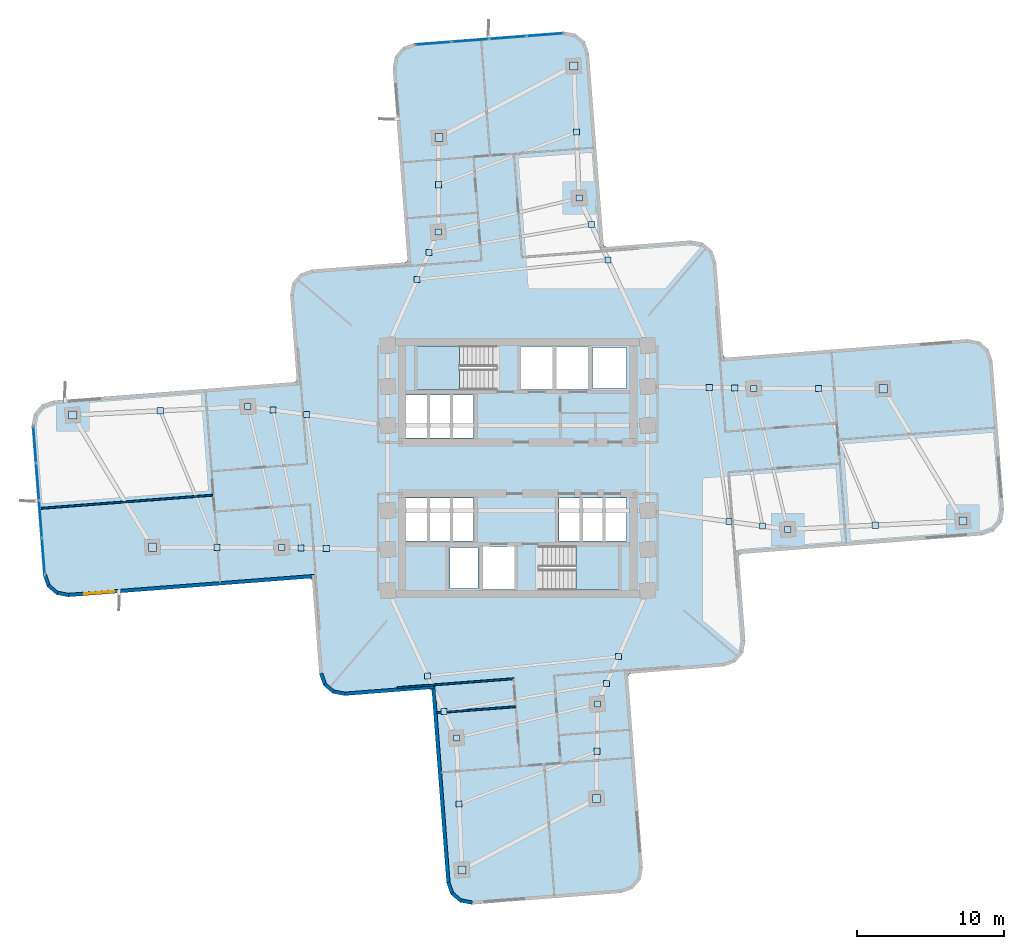
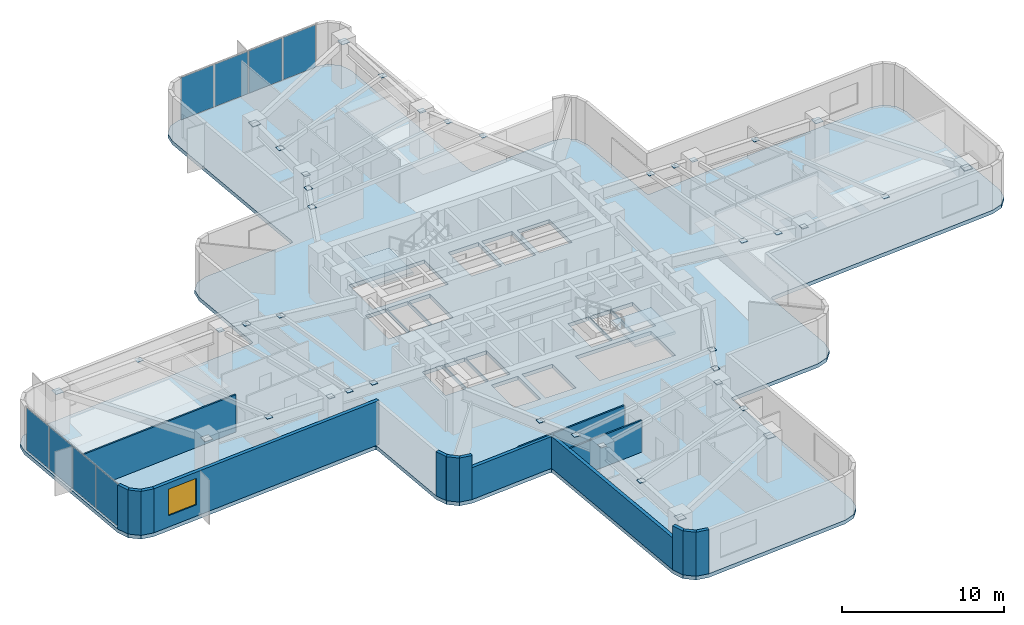
# One storey, part 7 of 15: 48 plates, 15 walls, 3 slabs, 1 window, 1 opening, 4 elements without a shape of their own.
"""IFC4 building model written with IfcOpenShell, lengths in metres."""

from ifc_helpers import new_model, si_unit, direction, frame, frame_2d, origin, origin_2d, place, context, subcontext, project, spatial, polyline, rectangle, outline, extrude, material, layer, layer_set, type_object, element, fill, aggregate, save


model = new_model("IFC4")

# Units and contexts
model_context = context("Model", 3, precision=1e-05, world=origin(), true_north=direction((0.0, 1.0)))
body_context = subcontext(model_context, "Body", "Model", "MODEL_VIEW")
ifc_project = project(units=[si_unit("LENGTHUNIT", "METRE"), si_unit("AREAUNIT", "SQUARE_METRE"), si_unit("VOLUMEUNIT", "CUBIC_METRE"), si_unit("PLANEANGLEUNIT", "RADIAN"), si_unit("MASSUNIT", "GRAM", prefix="KILO")], contexts=[model_context])

# Site, building, storey
site_placement = place(None, origin())
site = spatial("IfcSite", under=ifc_project, at=site_placement, CompositionType="ELEMENT")
building_placement = place(site_placement, origin())
building = spatial("IfcBuilding", under=site, at=building_placement, Name="Solmarez Civic Tower", CompositionType="ELEMENT")
storey_placement = place(building_placement, frame((0.0, 0.0, 60.47998046875)))
storey = spatial("IfcBuildingStorey", under=building, at=storey_placement, Name="L15", CompositionType="ELEMENT", Elevation=60.47998046875)

# Curtain wall, plates
ifc_material_1 = material(Name="Bronze Anodised Aluminium EN AW-6063 T6", Category="aluminium")
ifc_layer_1 = layer(ifc_material_1, 0.18505859375)
ifc_layer_set_1 = layer_set([ifc_layer_1], Name="Bronze Anodised Aluminium EN AW-6063 T6")
curtain_wall_type = type_object("IfcCurtainWallType", Name="CW-SYS-2", PredefinedType="NOTDEFINED", material=ifc_layer_set_1)
curtain_wall_1_placement = place(storey_placement, origin())
curtain_wall_1 = element("IfcCurtainWall", 1, at=curtain_wall_1_placement, inside=storey, type_object=curtain_wall_type, Name="L15 Stick-Built Curtain Wall 1", PredefinedType="NOTDEFINED")
ifc_material_2 = material(Name="Solar Control Low-E Laminated Vision Glass", Category="glass")
ifc_layer_2 = layer(ifc_material_2, 0.031982421875)
ifc_layer_set_2 = layer_set([ifc_layer_2], Name="Solar Control Low-E Laminated Vision Glass")
plate_type_1 = type_object("IfcPlateType", Name="CWP-GLAZ-32", PredefinedType="CURTAIN_PANEL", material=ifc_layer_set_2)
plate_1_placement = place(storey_placement, frame((-32.314453125, -6.010986328125, 0.06494140625), z_axis=(0.0, 0.0, 1.0), x_axis=(-0.076726434127, 0.997052182339, 0.0)))
plate_1 = element("IfcPlate", 2, at=plate_1_placement, type_object=plate_type_1, Name="CWS2 panel 1.1", PredefinedType="CURTAIN_PANEL", context=body_context, shape_type="SweptSolid", body=[
    extrude(rectangle(XDim=2.449462890625, YDim=0.031982421875, at=origin_2d()), origin(), (0.0, 0.0, 1.0), 3.18994140625),
])
plate_2_placement = place(storey_placement, frame((-32.509033203125, -3.4814453125, 0.06494140625), z_axis=(0.0, 0.0, 1.0), x_axis=(-0.076726434127, 0.997052182339, 0.0)))
plate_2 = element("IfcPlate", 3, at=plate_2_placement, type_object=plate_type_1, Name="CWS2 panel 2.1", PredefinedType="CURTAIN_PANEL", context=body_context, shape_type="SweptSolid", body=[
    extrude(rectangle(XDim=2.484619140625, YDim=0.031982421875, at=origin_2d()), origin(), (0.0, 0.0, 1.0), 3.18994140625),
])
plate_3_placement = place(storey_placement, frame((-32.705078125, -0.9345703125, 0.06494140625), z_axis=(0.0, 0.0, 1.0), x_axis=(-0.076726434127, 0.997052182339, 0.0)))
plate_3 = element("IfcPlate", 4, at=plate_3_placement, type_object=plate_type_1, Name="CWS2 panel 3.1", PredefinedType="CURTAIN_PANEL", context=body_context, shape_type="SweptSolid", body=[
    extrude(rectangle(XDim=2.484619140625, YDim=0.031982421875, at=origin_2d()), origin(), (0.0, 0.0, 1.0), 3.18994140625),
])
plate_4_placement = place(storey_placement, frame((-32.899658203125, 1.594970703125, 0.06494140625), z_axis=(0.0, 0.0, 1.0), x_axis=(-0.076726434127, 0.997052182339, 0.0)))
plate_4 = element("IfcPlate", 5, at=plate_4_placement, type_object=plate_type_1, Name="CWS2 panel 4.1", PredefinedType="CURTAIN_PANEL", context=body_context, shape_type="SweptSolid", body=[
    extrude(rectangle(XDim=2.449462890625, YDim=0.031982421875, at=origin_2d()), origin(), (0.0, 0.0, 1.0), 3.18994140625),
])
aggregate(curtain_wall_1, [plate_1, plate_2, plate_3, plate_4])

curtain_wall_2_placement = place(storey_placement, origin())
curtain_wall_2 = element("IfcCurtainWall", 6, at=curtain_wall_2_placement, inside=storey, type_object=curtain_wall_type, Name="L15 Stick-Built Curtain Wall 2", PredefinedType="NOTDEFINED")
plate_5_placement = place(storey_placement, frame((-5.75, 28.92431640625, 0.06494140625), z_axis=(0.0, 0.0, 1.0), x_axis=(0.997052182339, 0.076726434127, 0.0)))
plate_5 = element("IfcPlate", 7, at=plate_5_placement, type_object=plate_type_1, Name="CWS2 panel 1.1", PredefinedType="CURTAIN_PANEL", context=body_context, shape_type="SweptSolid", body=[
    extrude(rectangle(XDim=2.449462890625, YDim=0.031982421875, at=origin_2d()), origin(), (0.0, 0.0, 1.0), 3.18994140625),
])
plate_6_placement = place(storey_placement, frame((-3.220458984375, 29.118896484375, 0.06494140625), z_axis=(0.0, 0.0, 1.0), x_axis=(0.997052182339, 0.076726434127, 0.0)))
plate_6 = element("IfcPlate", 8, at=plate_6_placement, type_object=plate_type_1, Name="CWS2 panel 2.1", PredefinedType="CURTAIN_PANEL", context=body_context, shape_type="SweptSolid", body=[
    extrude(rectangle(XDim=2.484619140625, YDim=0.031982421875, at=origin_2d()), origin(), (0.0, 0.0, 1.0), 3.18994140625),
])
plate_7_placement = place(storey_placement, frame((-0.673583984375, 29.31494140625, 0.06494140625), z_axis=(0.0, 0.0, 1.0), x_axis=(0.997052182339, 0.076726434127, 0.0)))
plate_7 = element("IfcPlate", 9, at=plate_7_placement, type_object=plate_type_1, Name="CWS2 panel 3.1", PredefinedType="CURTAIN_PANEL", context=body_context, shape_type="SweptSolid", body=[
    extrude(rectangle(XDim=2.484619140625, YDim=0.031982421875, at=origin_2d()), origin(), (0.0, 0.0, 1.0), 3.18994140625),
])
plate_8_placement = place(storey_placement, frame((1.85595703125, 29.509765625, 0.06494140625), z_axis=(0.0, 0.0, 1.0), x_axis=(0.997052182339, 0.076726434127, 0.0)))
plate_8 = element("IfcPlate", 10, at=plate_8_placement, type_object=plate_type_1, Name="CWS2 panel 4.1", PredefinedType="CURTAIN_PANEL", context=body_context, shape_type="SweptSolid", body=[
    extrude(rectangle(XDim=2.449462890625, YDim=0.031982421875, at=origin_2d()), origin(), (0.0, 0.0, 1.0), 3.18994140625),
])
aggregate(curtain_wall_2, [plate_5, plate_6, plate_7, plate_8])

# Plates
ifc_material_3 = material(Name="Steel S355", Category="steel")
ifc_layer_3 = layer(ifc_material_3, 0.02392578125)
ifc_layer_set_3 = layer_set([ifc_layer_3], Name="Steel S355")
plate_type_2 = type_object("IfcPlateType", Name="PLT-CAP-380", PredefinedType="USERDEFINED", material=ifc_layer_set_3)
for number, where, z_axis, x_axis, name in (
    (11, (18.39111328125, -4.18408203125, 3.157958984375), (0.0, 0.0, 1.0), (1.0, 0.0, 0.0), "Steel Member End Cap Plate CAP-BM-L15-EA-T1-0"),
    (12, (16.075927734375, 5.4208984375, 3.157958984375), (0.0, 0.0, 1.0), (1.0, 0.0, 0.0), "Steel Member End Cap Plate CAP-BM-L15-EA-T1-1"),
    (13, (24.35498046875, -3.89697265625, 3.157958984375), (0.0, 0.0, 1.0), (1.0, 0.0, 0.0), "Steel Member End Cap Plate CAP-JS-L15-EA-M2-0"),
    (14, (20.48193359375, 5.406982421875, 3.157958984375), (0.0, 0.0, 1.0), (1.0, 0.0, 0.0), "Steel Member End Cap Plate CAP-JS-L15-EA-M2-1"),
    (15, (14.384033203125, -3.64501953125, 3.157958984375), (0.0, 0.0, 1.0), (1.0, 0.0, 0.0), "Steel Member End Cap Plate CAP-JS-L15-EA-M11-0"),
    (16, (13.041015625, 5.47509765625, 3.157958984375), (0.0, 0.0, 1.0), (1.0, 0.0, 0.0), "Steel Member End Cap Plate CAP-JS-L15-EA-M11-1"),
    (17, (16.674072265625, -3.952880859375, 3.157958984375), (0.0, 0.0, 1.0), (1.0, 0.0, 0.0), "Steel Member End Cap Plate CAP-JS-L15-EA-M12-0"),
    (18, (14.77490234375, 5.444091796875, 3.157958984375), (0.0, 0.0, 1.0), (1.0, 0.0, 0.0), "Steel Member End Cap Plate CAP-JS-L15-EA-M12-1"),
    (19, (4.18408203125, 18.39111328125, 3.157958984375), (0.0, 0.0, 1.0), (1.0, 0.0, 0.0), "Steel Member End Cap Plate CAP-BM-L15-NA-T1-0"),
    (20, (-5.4208984375, 16.075927734375, 3.157958984375), (0.0, 0.0, 1.0), (1.0, 0.0, 0.0), "Steel Member End Cap Plate CAP-BM-L15-NA-T1-1"),
    (21, (3.9951171875, 22.886962890625, 3.157958984375), (0.0, 0.0, 1.0), (1.0, 0.0, 0.0), "Steel Member End Cap Plate CAP-JS-L15-NA-M2-0"),
    (22, (-5.39599609375, 19.291015625, 3.157958984375), (0.0, 0.0, 1.0), (1.0, 0.0, 0.0), "Steel Member End Cap Plate CAP-JS-L15-NA-M2-1"),
    (23, (6.14404296875, 14.174072265625, 3.157958984375), (0.0, 0.0, 1.0), (1.0, 0.0, 0.0), "Steel Member End Cap Plate CAP-JS-L15-NA-M11-0"),
    (24, (-6.861083984375, 12.8310546875, 3.157958984375), (0.0, 0.0, 1.0), (1.0, 0.0, 0.0), "Steel Member End Cap Plate CAP-JS-L15-NA-M11-1"),
    (25, (5.02392578125, 16.583984375, 3.157958984375), (0.0, 0.0, 1.0), (1.0, 0.0, 0.0), "Steel Member End Cap Plate CAP-JS-L15-NA-M12-0"),
    (26, (-6.0380859375, 14.68505859375, 3.157958984375), (0.0, 0.0, 1.0), (1.0, 0.0, 0.0), "Steel Member End Cap Plate CAP-JS-L15-NA-M12-1"),
    (27, (-18.39111328125, 4.18408203125, 3.157958984375), (0.0, 0.0, 1.0), (1.0, 0.0, 0.0), "Steel Member End Cap Plate CAP-BM-L15-WA-T1-0"),
    (28, (-16.075927734375, -5.4208984375, 3.157958984375), (0.0, 0.0, 1.0), (1.0, 0.0, 0.0), "Steel Member End Cap Plate CAP-BM-L15-WA-T1-1"),
    (29, (-24.35498046875, 3.89697265625, 3.157958984375), (0.0, 0.0, 1.0), (1.0, 0.0, 0.0), "Steel Member End Cap Plate CAP-JS-L15-WA-M2-0"),
    (30, (-20.48193359375, -5.406982421875, 3.157958984375), (0.0, 0.0, 1.0), (1.0, 0.0, 0.0), "Steel Member End Cap Plate CAP-JS-L15-WA-M2-1"),
    (31, (-14.384033203125, 3.64501953125, 3.157958984375), (0.0, 0.0, 1.0), (1.0, 0.0, 0.0), "Steel Member End Cap Plate CAP-JS-L15-WA-M11-0"),
    (32, (-13.041015625, -5.47509765625, 3.157958984375), (0.0, 0.0, 1.0), (1.0, 0.0, 0.0), "Steel Member End Cap Plate CAP-JS-L15-WA-M11-1"),
    (33, (-16.674072265625, 3.952880859375, 3.157958984375), (0.0, 0.0, 1.0), (1.0, 0.0, 0.0), "Steel Member End Cap Plate CAP-JS-L15-WA-M12-0"),
    (34, (-14.77490234375, -5.444091796875, 3.157958984375), (0.0, 0.0, 1.0), (1.0, 0.0, 0.0), "Steel Member End Cap Plate CAP-JS-L15-WA-M12-1"),
    (35, (-4.18408203125, -18.39111328125, 3.157958984375), (0.0, 0.0, 1.0), (1.0, 0.0, 0.0), "Steel Member End Cap Plate CAP-BM-L15-SA-T1-0"),
    (36, (5.4208984375, -16.075927734375, 3.157958984375), (0.0, 0.0, 1.0), (1.0, 0.0, 0.0), "Steel Member End Cap Plate CAP-BM-L15-SA-T1-1"),
    (37, (-3.9951171875, -22.886962890625, 3.157958984375), (0.0, 0.0, 1.0), (1.0, 0.0, 0.0), "Steel Member End Cap Plate CAP-JS-L15-SA-M2-0"),
    (38, (5.39599609375, -19.291015625, 3.157958984375), (0.0, 0.0, 1.0), (1.0, 0.0, 0.0), "Steel Member End Cap Plate CAP-JS-L15-SA-M2-1"),
    (39, (-6.14404296875, -14.174072265625, 3.157958984375), (0.0, 0.0, 1.0), (1.0, 0.0, 0.0), "Steel Member End Cap Plate CAP-JS-L15-SA-M11-0"),
    (40, (6.861083984375, -12.8310546875, 3.157958984375), (0.0, 0.0, 1.0), (1.0, 0.0, 0.0), "Steel Member End Cap Plate CAP-JS-L15-SA-M11-1"),
    (41, (-5.02392578125, -16.583984375, 3.157958984375), (0.0, 0.0, 1.0), (1.0, 0.0, 0.0), "Steel Member End Cap Plate CAP-JS-L15-SA-M12-0"),
    (42, (6.0380859375, -14.68505859375, 3.157958984375), (0.0, 0.0, 1.0), (1.0, 0.0, 0.0), "Steel Member End Cap Plate CAP-JS-L15-SA-M12-1"),
):
    element("IfcPlate", number, at=place(storey_placement, frame(where, z_axis=z_axis, x_axis=x_axis)), inside=storey, type_object=plate_type_2, Name=name, ObjectType="CAP_PLATE", PredefinedType="USERDEFINED", context=body_context, shape_type="SweptSolid", body=[
        extrude(rectangle(XDim=0.419921875, YDim=0.419921875, at=origin_2d()), origin(), (0.0, 0.0, 1.0), 0.02392578125),
    ])
ifc_layer_4 = layer(ifc_material_3, 0.028076171875)
ifc_layer_set_4 = layer_set([ifc_layer_4], Name="Steel S355")
plate_type_3 = type_object("IfcPlateType", Name="PLT-CAP-540", PredefinedType="USERDEFINED", material=ifc_layer_set_4)
for number, where, z_axis, x_axis, name in (
    (43, (30.318115234375, -3.60888671875, 3.05615234375), (0.0, 0.0, 1.0), (1.0, 0.0, 0.0), "Steel Member End Cap Plate CAP-BM-L15-EA-T2-0"),
    (44, (24.887939453125, 5.39306640625, 3.05615234375), (0.0, 0.0, 1.0), (1.0, 0.0, 0.0), "Steel Member End Cap Plate CAP-BM-L15-EA-T2-1"),
    (45, (3.806884765625, 27.383056640625, 3.05615234375), (0.0, 0.0, 1.0), (1.0, 0.0, 0.0), "Steel Member End Cap Plate CAP-BM-L15-NA-T2-0"),
    (46, (-5.3720703125, 22.507080078125, 3.05615234375), (0.0, 0.0, 1.0), (1.0, 0.0, 0.0), "Steel Member End Cap Plate CAP-BM-L15-NA-T2-1"),
    (47, (-30.318115234375, 3.60888671875, 3.05615234375), (0.0, 0.0, 1.0), (1.0, 0.0, 0.0), "Steel Member End Cap Plate CAP-BM-L15-WA-T2-0"),
    (48, (-24.887939453125, -5.39306640625, 3.05615234375), (0.0, 0.0, 1.0), (1.0, 0.0, 0.0), "Steel Member End Cap Plate CAP-BM-L15-WA-T2-1"),
    (49, (-3.806884765625, -27.383056640625, 3.05615234375), (0.0, 0.0, 1.0), (1.0, 0.0, 0.0), "Steel Member End Cap Plate CAP-BM-L15-SA-T2-0"),
    (50, (5.3720703125, -22.507080078125, 3.05615234375), (0.0, 0.0, 1.0), (1.0, 0.0, 0.0), "Steel Member End Cap Plate CAP-BM-L15-SA-T2-1"),
):
    element("IfcPlate", number, at=place(storey_placement, frame(where, z_axis=z_axis, x_axis=x_axis)), inside=storey, type_object=plate_type_3, Name=name, ObjectType="CAP_PLATE", PredefinedType="USERDEFINED", context=body_context, shape_type="SweptSolid", body=[
        extrude(rectangle(XDim=0.56005859375, YDim=0.56005859375, at=origin_2d()), origin(), (0.0, 0.0, 1.0), 0.028076171875),
    ])

# Stair, slab
ifc_material_4 = material(Name="Concrete C50/60", Category="concrete")
stair_type = type_object("IfcStairType", Name="STAIR-DOGLEG-140W-20R-1800", PredefinedType="HALF_TURN_STAIR", material=ifc_material_4)
stair_1_placement = place(storey_placement, origin())
stair_1 = element("IfcStair", 51, at=stair_1_placement, inside=storey, type_object=stair_type, Name="L15 North Core Protected Exit Stair ST-1", PredefinedType="HALF_TURN_STAIR")
ifc_layer_5 = layer(ifc_material_4, 0.199951171875)
ifc_layer_set_5 = layer_set([ifc_layer_5], Name="Concrete C50/60")
slab_type_1 = type_object("IfcSlabType", Name="SLAB-LANDING-200", PredefinedType="LANDING", material=ifc_layer_set_5)
slab_1_placement = place(storey_placement, frame((0.0, 0.0, 1.60009765625)))
slab_1 = element("IfcSlab", 52, at=slab_1_placement, type_object=slab_type_1, Name="ST-1 landing 1", PredefinedType="LANDING", context=body_context, shape_type="SweptSolid", body=[
    extrude(outline(polyline([(-3.969970703125, 8.320068359375), (-6.85009765625, 8.320068359375), (-6.85009765625, 5.320068359375), (-3.969970703125, 5.320068359375), (-3.969970703125, 8.320068359375)])), origin(), (0.0, 0.0, 1.0), 0.199951171875),
])
aggregate(stair_1, [slab_1])

stair_2_placement = place(storey_placement, origin())
stair_2 = element("IfcStair", 53, at=stair_2_placement, inside=storey, type_object=stair_type, Name="L15 South Core Protected Exit Stair ST-2", PredefinedType="HALF_TURN_STAIR")
slab_2_placement = place(storey_placement, frame((0.0, 0.0, 1.60009765625)))
slab_2 = element("IfcSlab", 54, at=slab_2_placement, type_object=slab_type_1, Name="ST-2 landing 1", PredefinedType="LANDING", context=body_context, shape_type="SweptSolid", body=[
    extrude(outline(polyline([(3.969970703125, -8.320068359375), (6.85009765625, -8.320068359375), (6.85009765625, -5.320068359375), (3.969970703125, -5.320068359375), (3.969970703125, -8.320068359375)])), origin(), (0.0, 0.0, 1.0), 0.199951171875),
])
aggregate(stair_2, [slab_2])

# Slab
ifc_layer_6 = layer(ifc_material_4, 0.280029296875)
ifc_layer_set_6 = layer_set([ifc_layer_6], Name="Concrete C50/60")
slab_type_2 = type_object("IfcSlabType", Name="SLAB-TOWER-280", PredefinedType="FLOOR", material=ifc_layer_set_6)
slab_3_placement = place(storey_placement, frame((0.0, 0.0, -0.280029296875)))
element("IfcSlab", 55, at=slab_3_placement, inside=storey, type_object=slab_type_2, Name="L15 Structural Slab", PredefinedType="FLOOR", context=body_context, shape_type="SweptSolid", body=[
    extrude(outline(polyline([(-14.0, -7.70703125), (-13.513916015625, -14.028076171875), (-13.239013671875, -14.80908203125), (-12.610107421875, -15.347900390625), (-11.7958984375, -15.5009765625), (-6.072998046875, -15.06005859375), (-5.904052734375, -15.092041015625), (-5.846923828125, -15.25390625), (-4.846923828125, -28.2548828125), (-4.571044921875, -29.035888671875), (-3.943115234375, -29.574951171875), (-3.12890625, -29.72802734375), (7.041015625, -28.945068359375), (7.822998046875, -28.669921875), (8.362060546875, -28.041015625), (8.513916015625, -27.22705078125), (7.513916015625, -14.22607421875), (7.544921875, -14.056884765625), (7.70703125, -14.0), (14.028076171875, -13.513916015625), (14.80908203125, -13.239013671875), (15.347900390625, -12.610107421875), (15.5009765625, -11.7958984375), (15.06005859375, -6.072998046875), (15.092041015625, -5.904052734375), (15.25390625, -5.846923828125), (31.64501953125, -4.5859375), (32.426025390625, -4.31103515625), (32.965087890625, -3.681884765625), (33.117919921875, -2.867919921875), (32.3349609375, 7.302001953125), (32.06005859375, 8.0830078125), (31.430908203125, 8.6220703125), (30.616943359375, 8.77490234375), (14.22607421875, 7.513916015625), (14.056884765625, 7.544921875), (14.0, 7.70703125), (13.513916015625, 14.028076171875), (13.239013671875, 14.80908203125), (12.610107421875, 15.347900390625), (11.7958984375, 15.5009765625), (6.072998046875, 15.06005859375), (5.904052734375, 15.092041015625), (5.846923828125, 15.25390625), (4.846923828125, 28.2548828125), (4.571044921875, 29.035888671875), (3.943115234375, 29.574951171875), (3.12890625, 29.72802734375), (-7.041015625, 28.945068359375), (-7.822998046875, 28.669921875), (-8.362060546875, 28.041015625), (-8.513916015625, 27.22705078125), (-7.513916015625, 14.22607421875), (-7.544921875, 14.056884765625), (-7.70703125, 14.0), (-14.028076171875, 13.513916015625), (-14.80908203125, 13.239013671875), (-15.347900390625, 12.610107421875), (-15.5009765625, 11.7958984375), (-15.06005859375, 6.072998046875), (-15.092041015625, 5.904052734375), (-15.25390625, 5.846923828125), (-31.64501953125, 4.5859375), (-32.426025390625, 4.31103515625), (-32.965087890625, 3.681884765625), (-33.117919921875, 2.867919921875), (-32.3349609375, -7.302001953125), (-32.06005859375, -8.0830078125), (-31.430908203125, -8.6220703125), (-30.616943359375, -8.77490234375), (-14.22607421875, -7.513916015625), (-14.056884765625, -7.544921875), (-14.0, -7.70703125)]), holes=[polyline([(-1.449951171875, 8.320068359375), (-6.85009765625, 8.320068359375), (-6.85009765625, 5.320068359375), (-1.449951171875, 5.320068359375), (-1.449951171875, 8.320068359375)]), polyline([(1.449951171875, -8.320068359375), (6.85009765625, -8.320068359375), (6.85009765625, -5.320068359375), (1.449951171875, -5.320068359375), (1.449951171875, -8.320068359375)]), polyline([(0.219970703125, 5.360107421875), (2.3798828125, 5.360107421875), (2.3798828125, 8.280029296875), (0.219970703125, 8.280029296875), (0.219970703125, 5.360107421875)]), polyline([(2.6201171875, 5.360107421875), (4.780029296875, 5.360107421875), (4.780029296875, 8.280029296875), (2.6201171875, 8.280029296875), (2.6201171875, 5.360107421875)]), polyline([(-2.3798828125, -8.280029296875), (-0.219970703125, -8.280029296875), (-0.219970703125, -5.360107421875), (-2.3798828125, -5.360107421875), (-2.3798828125, -8.280029296875)]), polyline([(2.800048828125, -4.9599609375), (4.280029296875, -4.9599609375), (4.280029296875, -2.06005859375), (2.800048828125, -2.06005859375), (2.800048828125, -4.9599609375)]), polyline([(4.360107421875, -4.9599609375), (5.840087890625, -4.9599609375), (5.840087890625, -2.06005859375), (4.360107421875, -2.06005859375), (4.360107421875, -4.9599609375)]), polyline([(5.919921875, -4.9599609375), (7.39990234375, -4.9599609375), (7.39990234375, -2.06005859375), (5.919921875, -2.06005859375), (5.919921875, -4.9599609375)]), polyline([(-7.60009765625, -4.9599609375), (-6.1201171875, -4.9599609375), (-6.1201171875, -2.06005859375), (-7.60009765625, -2.06005859375), (-7.60009765625, -4.9599609375)]), polyline([(-6.0400390625, -4.9599609375), (-4.56005859375, -4.9599609375), (-4.56005859375, -2.06005859375), (-6.0400390625, -2.06005859375), (-6.0400390625, -4.9599609375)]), polyline([(-4.47998046875, -4.9599609375), (-3.0, -4.9599609375), (-3.0, -2.06005859375), (-4.47998046875, -2.06005859375), (-4.47998046875, -4.9599609375)]), polyline([(-7.60009765625, 2.06005859375), (-6.1201171875, 2.06005859375), (-6.1201171875, 4.9599609375), (-7.60009765625, 4.9599609375), (-7.60009765625, 2.06005859375)]), polyline([(-6.0400390625, 2.06005859375), (-4.56005859375, 2.06005859375), (-4.56005859375, 4.9599609375), (-6.0400390625, 4.9599609375), (-6.0400390625, 2.06005859375)]), polyline([(-4.47998046875, 2.06005859375), (-3.0, 2.06005859375), (-3.0, 4.9599609375), (-4.47998046875, 4.9599609375), (-4.47998046875, 2.06005859375)]), polyline([(5.10009765625, 5.419921875), (7.39990234375, 5.419921875), (7.39990234375, 8.219970703125), (5.10009765625, 8.219970703125), (5.10009765625, 5.419921875)]), polyline([(-4.60009765625, -8.219970703125), (-2.699951171875, -8.219970703125), (-2.699951171875, -5.419921875), (-4.60009765625, -5.419921875), (-4.60009765625, -8.219970703125)])]), origin(), (0.0, 0.0, 1.0), 0.280029296875),
])

# Wall, opening, window
ifc_material_5 = material(Name="Precast concrete C40/50", Category="concrete")
ifc_layer_7 = layer(ifc_material_5, 0.239990234375)
ifc_layer_set_7 = layer_set([ifc_layer_7], Name="Precast concrete C40/50")
wall_type_1 = type_object("IfcWallType", Name="WALL-EXT-240", PredefinedType="SOLIDWALL", material=ifc_layer_set_7)
wall_1_placement = place(storey_placement, frame((-13.81005859375, -7.362060546875, 0.0), z_axis=(0.0, 0.0, 1.0), x_axis=(-0.997055761943, -0.076679903335, 0.0)))
wall_1 = element("IfcWall", 56, at=wall_1_placement, inside=storey, type_object=wall_type_1, Name="L15 Exterior Precast Wall 2", PredefinedType="SOLIDWALL", context=body_context, shape_type="SweptSolid", body=[
    extrude(rectangle(XDim=16.874755859375, YDim=0.239990234375, at=frame_2d((8.4375, 0.0))), origin(), (0.0, 0.0, 1.0), 3.320068359375),
])
opening_placement = place(wall_1_placement, frame((13.675048828125, 0.0, 0.85009765625)))
opening = element("IfcOpeningElement", 57, at=opening_placement, cuts=wall_1, Name="Opening W-03", PredefinedType="OPENING", context=body_context, shape_type="SweptSolid", body=[
    extrude(rectangle(XDim=2.10009765625, YDim=2.0, at=frame_2d((1.050048828125, 1.0))), frame((0.0, 0.1298828125, 0.0), z_axis=(0.0, -1.0, 0.0), x_axis=(1.0, 0.0, 0.0)), (0.0, 0.0, 1.0), 0.260009765625),
])
ifc_material_6 = material(Name="Solar Control Bronze-Tinted Insulating Glass", Category="glass")
window_type = type_object("IfcWindowType", Name="WIN-2100X2000", PartitioningType="SINGLE_PANEL", PredefinedType="WINDOW", material=ifc_material_6)
window_placement = place(opening_placement, origin())
window = element("IfcWindow", 58, at=window_placement, inside=storey, type_object=window_type, Name="L15 Exterior Facade Window 2", OverallHeight=2.0, OverallWidth=2.10009765625, PartitioningType="SINGLE_PANEL", PredefinedType="WINDOW", context=body_context, shape_type="SweptSolid", body=[
    extrude(rectangle(XDim=2.10009765625, YDim=2.0, at=frame_2d((1.050048828125, 1.0))), frame((0.0, 0.030029296875, 0.0), z_axis=(0.0, -1.0, 0.0), x_axis=(1.0, 0.0, 0.0)), (0.0, 0.0, 1.0), 0.06005859375),
])
fill(opening, window)

# Walls
wall_2_placement = place(storey_placement, frame((-30.5849609375, -8.658935546875, 0.0), z_axis=(0.0, 0.0, 1.0), x_axis=(-0.982688894005, 0.185263427582, 0.0)))
element("IfcWall", 59, at=wall_2_placement, inside=storey, type_object=wall_type_1, Name="L15 Exterior Precast Wall 3", PredefinedType="SOLIDWALL", context=body_context, shape_type="SweptSolid", body=[
    extrude(rectangle(XDim=0.83154296875, YDim=0.239990234375, at=frame_2d((0.415771484375, 0.0))), origin(), (0.0, 0.0, 1.0), 3.320068359375),
])
wall_3_placement = place(storey_placement, frame((-31.35791015625, -8.52587890625, 0.0), z_axis=(0.0, 0.0, 1.0), x_axis=(-0.759891778471, 0.650049601962, 0.0)))
element("IfcWall", 60, at=wall_3_placement, inside=storey, type_object=wall_type_1, Name="L15 Exterior Precast Wall 4", PredefinedType="SOLIDWALL", context=body_context, shape_type="SweptSolid", body=[
    extrude(rectangle(XDim=0.8134765625, YDim=0.239990234375, at=frame_2d((0.40673828125, 0.0))), origin(), (0.0, 0.0, 1.0), 3.320068359375),
])
wall_4_placement = place(storey_placement, frame((-31.948974609375, -8.037109375, 0.0), z_axis=(0.0, 0.0, 1.0), x_axis=(-0.332128799234, 0.943234043448, 0.0)))
element("IfcWall", 61, at=wall_4_placement, inside=storey, type_object=wall_type_1, Name="L15 Exterior Precast Wall 5", PredefinedType="SOLIDWALL", context=body_context, shape_type="SweptSolid", body=[
    extrude(rectangle(XDim=0.831298828125, YDim=0.239990234375, at=frame_2d((0.41552734375, 0.0))), origin(), (0.0, 0.0, 1.0), 3.320068359375),
])
wall_5_placement = place(storey_placement, frame((-3.096923828125, -29.612060546875, 0.0), z_axis=(0.0, 0.0, 1.0), x_axis=(-0.982688894005, 0.185263427582, 0.0)))
element("IfcWall", 62, at=wall_5_placement, inside=storey, type_object=wall_type_1, Name="L15 Exterior Precast Wall 61", PredefinedType="SOLIDWALL", context=body_context, shape_type="SweptSolid", body=[
    extrude(rectangle(XDim=0.83154296875, YDim=0.239990234375, at=frame_2d((0.415771484375, 0.0))), origin(), (0.0, 0.0, 1.0), 3.320068359375),
])
wall_6_placement = place(storey_placement, frame((-3.8701171875, -29.47900390625, 0.0), z_axis=(0.0, 0.0, 1.0), x_axis=(-0.759616636226, 0.650371098657, 0.0)))
element("IfcWall", 63, at=wall_6_placement, inside=storey, type_object=wall_type_1, Name="L15 Exterior Precast Wall 62", PredefinedType="SOLIDWALL", context=body_context, shape_type="SweptSolid", body=[
    extrude(rectangle(XDim=0.8134765625, YDim=0.239990234375, at=frame_2d((0.40673828125, 0.0))), origin(), (0.0, 0.0, 1.0), 3.320068359375),
])
wall_7_placement = place(storey_placement, frame((-4.4609375, -28.989990234375, 0.0), z_axis=(0.0, 0.0, 1.0), x_axis=(-0.331174926, 0.943569376564, 0.0)))
element("IfcWall", 64, at=wall_7_placement, inside=storey, type_object=wall_type_1, Name="L15 Exterior Precast Wall 63", PredefinedType="SOLIDWALL", context=body_context, shape_type="SweptSolid", body=[
    extrude(rectangle(XDim=0.830810546875, YDim=0.239990234375, at=frame_2d((0.41552734375, 0.0))), origin(), (0.0, 0.0, 1.0), 3.320068359375),
])
wall_8_placement = place(storey_placement, frame((-4.72607421875, -28.2548828125, 0.0), z_axis=(0.0, 0.0, 1.0), x_axis=(-0.076726978627, 0.997052140437, 0.0)))
element("IfcWall", 65, at=wall_8_placement, inside=storey, type_object=wall_type_1, Name="L15 Exterior Precast Wall 64", PredefinedType="SOLIDWALL", context=body_context, shape_type="SweptSolid", body=[
    extrude(rectangle(XDim=13.4755859375, YDim=0.239990234375, at=frame_2d((6.73779296875, 0.0))), origin(), (0.0, 0.0, 1.0), 2.401123046875),
])
wall_9_placement = place(storey_placement, frame((-5.656982421875, -14.907958984375, 0.0), z_axis=(0.0, 0.0, 1.0), x_axis=(-0.997048202977, -0.076778128006, 0.0)))
element("IfcWall", 66, at=wall_9_placement, inside=storey, type_object=wall_type_1, Name="L15 Exterior Precast Wall 67", PredefinedType="SOLIDWALL", context=body_context, shape_type="SweptSolid", body=[
    extrude(rectangle(XDim=6.17529296875, YDim=0.239990234375, at=frame_2d((3.087646484375, 0.0))), origin(), (0.0, 0.0, 1.0), 2.401123046875),
])
wall_10_placement = place(storey_placement, frame((-11.763916015625, -15.385009765625, 0.0), z_axis=(0.0, 0.0, 1.0), x_axis=(-0.982688894005, 0.185263427582, 0.0)))
element("IfcWall", 67, at=wall_10_placement, inside=storey, type_object=wall_type_1, Name="L15 Exterior Precast Wall 68", PredefinedType="SOLIDWALL", context=body_context, shape_type="SweptSolid", body=[
    extrude(rectangle(XDim=0.83154296875, YDim=0.239990234375, at=frame_2d((0.415771484375, 0.0))), origin(), (0.0, 0.0, 1.0), 3.320068359375),
])
wall_11_placement = place(storey_placement, frame((-12.537109375, -15.251953125, 0.0), z_axis=(0.0, 0.0, 1.0), x_axis=(-0.759616636226, 0.650371098657, 0.0)))
element("IfcWall", 68, at=wall_11_placement, inside=storey, type_object=wall_type_1, Name="L15 Exterior Precast Wall 69", PredefinedType="SOLIDWALL", context=body_context, shape_type="SweptSolid", body=[
    extrude(rectangle(XDim=0.8134765625, YDim=0.239990234375, at=frame_2d((0.40673828125, 0.0))), origin(), (0.0, 0.0, 1.0), 3.320068359375),
])
wall_12_placement = place(storey_placement, frame((-13.1279296875, -14.762939453125, 0.0), z_axis=(0.0, 0.0, 1.0), x_axis=(-0.331174926, 0.943569376564, 0.0)))
element("IfcWall", 69, at=wall_12_placement, inside=storey, type_object=wall_type_1, Name="L15 Exterior Precast Wall 70", PredefinedType="SOLIDWALL", context=body_context, shape_type="SweptSolid", body=[
    extrude(rectangle(XDim=0.830810546875, YDim=0.239990234375, at=frame_2d((0.41552734375, 0.0))), origin(), (0.0, 0.0, 1.0), 3.320068359375),
])
ifc_material_7 = material(Name="Gypsum Board Acoustic Steel-Stud Partition", Category="steel")
ifc_layer_8 = layer(ifc_material_7, 0.110107421875)
ifc_layer_set_8 = layer_set([ifc_layer_8], Name="Gypsum Board Acoustic Steel-Stud Partition")
wall_type_2 = type_object("IfcWallType", Name="WALL-INT-PART-110", PredefinedType="PARTITIONING", material=ifc_layer_set_8)
wall_13_placement = place(storey_placement, frame((-20.7890625, -1.85009765625, 0.0), z_axis=(0.0, 0.0, 1.0), x_axis=(-0.997050564889, -0.076747449822, 0.0)))
element("IfcWall", 70, at=wall_13_placement, inside=storey, type_object=wall_type_2, Name="L15 Interior Partition PT-L15-W-TM", PredefinedType="PARTITIONING", context=body_context, shape_type="SweptSolid", body=[
    extrude(rectangle(XDim=11.7255859375, YDim=0.110107421875, at=frame_2d((5.86279296875, 0.0))), origin(), (0.0, 0.0, 1.0), 2.81201171875),
])
wall_14_placement = place(storey_placement, frame((-8.197021484375, -14.962890625, 0.0), z_axis=(0.0, 0.0, 1.0), x_axis=(0.99705358226, 0.076708240121, 0.0)))
element("IfcWall", 71, at=wall_14_placement, inside=storey, type_object=wall_type_2, Name="L15 Interior Partition PT-L15-S-EFR", PredefinedType="PARTITIONING", context=body_context, shape_type="SweptSolid", body=[
    extrude(rectangle(XDim=7.950439453125, YDim=0.110107421875, at=frame_2d((3.97509765625, 0.0))), origin(), (0.0, 0.0, 1.0), 2.401123046875),
])
wall_15_placement = place(storey_placement, frame((-5.531982421875, -16.673095703125, 0.0), z_axis=(0.0, 0.0, 1.0), x_axis=(0.997064061186, 0.076571913196, 0.0)))
element("IfcWall", 72, at=wall_15_placement, inside=storey, type_object=wall_type_2, Name="L15 Interior Partition PT-L15-S-RM", PredefinedType="PARTITIONING", context=body_context, shape_type="SweptSolid", body=[
    extrude(rectangle(XDim=5.394775390625, YDim=0.110107421875, at=frame_2d((2.697265625, 0.0))), origin(), (0.0, 0.0, 1.0), 2.401123046875),
])

save(model, "model.ifc")
